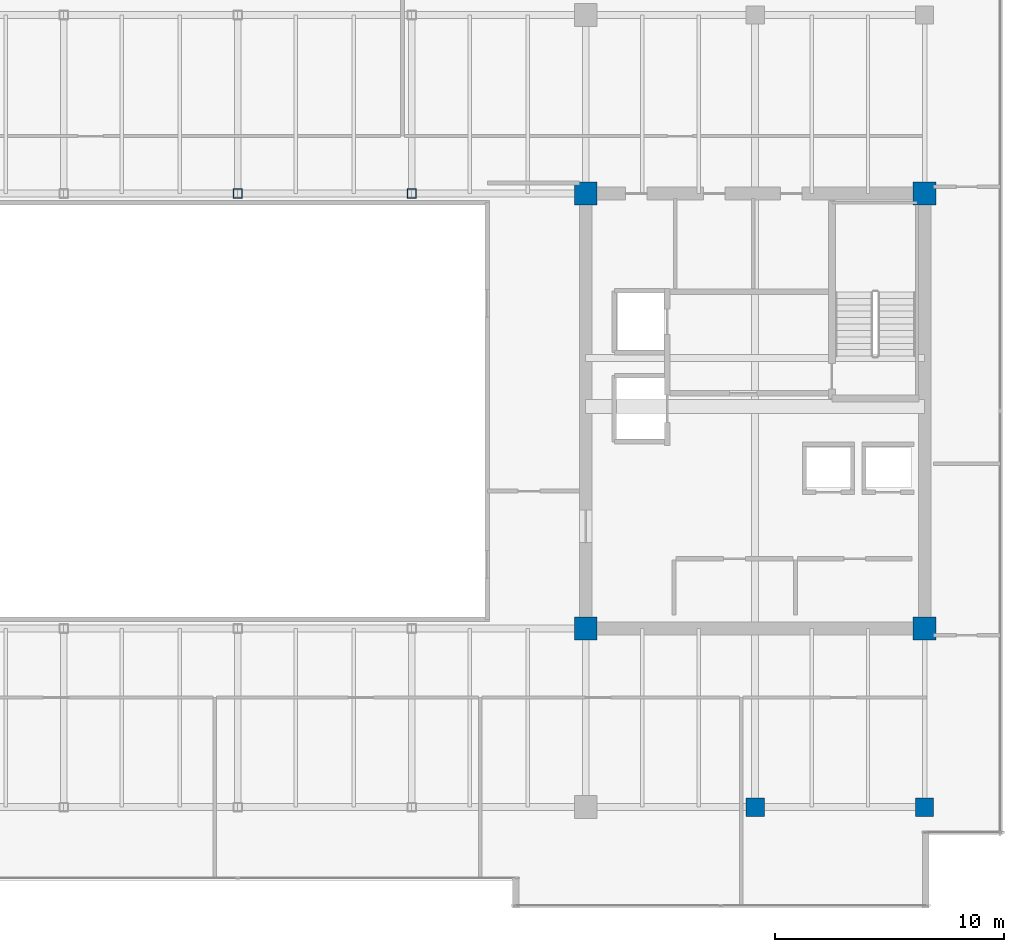
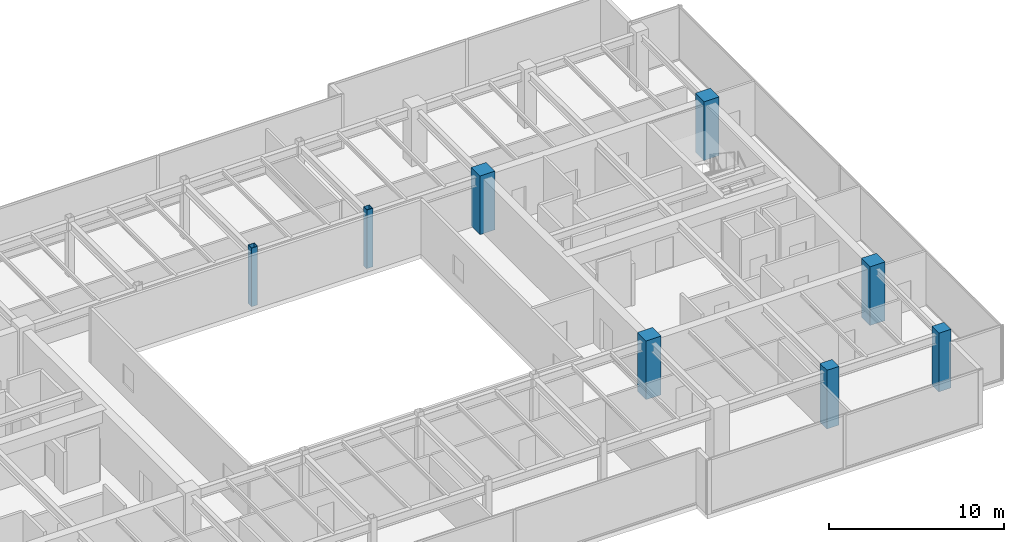
# One storey, part 2 of 33: 8 columns.
"""IFC4 building model written with IfcOpenShell, lengths in metres."""

from ifc_helpers import new_model, si_unit, direction, frame, origin, origin_2d, place, context, subcontext, project, spatial, rectangle, hollow_rectangle, extrude, source, transform, mapped, material, material_profile, profile_set, type_object, type_shapes, element, save


model = new_model("IFC4")

# Units and contexts
model_context = context("Model", 3, precision=1e-05, world=origin(), true_north=direction((0.0, 1.0)))
body_context = subcontext(model_context, "Body", "Model", "MODEL_VIEW")
ifc_project = project(units=[si_unit("LENGTHUNIT", "METRE"), si_unit("AREAUNIT", "SQUARE_METRE"), si_unit("VOLUMEUNIT", "CUBIC_METRE"), si_unit("PLANEANGLEUNIT", "RADIAN"), si_unit("MASSUNIT", "GRAM", prefix="KILO")], contexts=[model_context])

# Site, building, storey
site_placement = place(None, origin())
site = spatial("IfcSite", under=ifc_project, at=site_placement, CompositionType="ELEMENT")
building_placement = place(site_placement, origin())
building = spatial("IfcBuilding", under=site, at=building_placement, Name="Haelvirn Gate Laboratories", CompositionType="ELEMENT")
storey_placement = place(building_placement, frame((0.0, 0.0, 238.300048828125)))
storey = spatial("IfcBuildingStorey", under=building, at=storey_placement, Name="L57", CompositionType="ELEMENT", Elevation=238.300048828125)

# Columns
ifc_material_1 = material(Name="Concrete C60/75", Category="concrete")
ifc_material_profile_1 = material_profile(ifc_material_1, rectangle(XDim=1.0, YDim=1.0, at=origin_2d()), Name="RC-1000x1000")
ifc_profile_set_1 = profile_set([ifc_material_profile_1], Name="Concrete C60/75")
column_type_1 = type_object("IfcColumnType", Name="COL-RC-1000", PredefinedType="COLUMN", material=ifc_profile_set_1)
shared_shape_1 = source(origin(), body_context, "Body", "SweptSolid", [
    extrude(rectangle(XDim=1.0, YDim=1.0, at=origin_2d()), origin(), (0.0, 0.0, 1.0), 4.099853515625),
])
type_shapes(column_type_1, [shared_shape_1])
for number, where, z_axis, x_axis, name in (
    (1, (52.60009765625, 14.800048828125, 0.0), (0.0, 0.0, 1.0), (1.0, 0.0, 0.0), "L57 Column 8C"),
    (2, (67.39990234375, 14.800048828125, 0.0), (0.0, 0.0, 1.0), (1.0, 0.0, 0.0), "L57 Column 10C"),
    (3, (52.60009765625, 33.800048828125, 0.0), (0.0, 0.0, 1.0), (1.0, 0.0, 0.0), "L57 Column 8F"),
    (4, (67.39990234375, 33.800048828125, 0.0), (0.0, 0.0, 1.0), (1.0, 0.0, 0.0), "L57 Column 10F"),
):
    element("IfcColumn", number, at=place(storey_placement, frame(where, z_axis=z_axis, x_axis=x_axis)), inside=storey, type_object=column_type_1, Name=name, PredefinedType="COLUMN", context=body_context, shape_type="MappedRepresentation", body=[
        mapped(shared_shape_1, transform((0.0, 0.0, 0.0), scale=1.0)),
    ])
ifc_material_2 = material(Name="Concrete C50/60", Category="concrete")
ifc_material_profile_2 = material_profile(ifc_material_2, rectangle(XDim=0.800048828125, YDim=0.800048828125, at=origin_2d()), Name="RC-800x800")
ifc_profile_set_2 = profile_set([ifc_material_profile_2], Name="Concrete C50/60")
column_type_2 = type_object("IfcColumnType", Name="COL-RC-800", PredefinedType="COLUMN", material=ifc_profile_set_2)
shared_shape_2 = source(origin(), body_context, "Body", "SweptSolid", [
    extrude(rectangle(XDim=0.800048828125, YDim=0.800048828125, at=origin_2d()), origin(), (0.0, 0.0, 1.0), 4.099853515625),
])
type_shapes(column_type_2, [shared_shape_2])
for number, where, z_axis, x_axis, name in (
    (5, (60.0, 7.0, 0.0), (0.0, 0.0, 1.0), (1.0, 0.0, 0.0), "L57 Column 9B"),
    (6, (67.39990234375, 7.0, 0.0), (0.0, 0.0, 1.0), (1.0, 0.0, 0.0), "L57 Column 10B"),
):
    element("IfcColumn", number, at=place(storey_placement, frame(where, z_axis=z_axis, x_axis=x_axis)), inside=storey, type_object=column_type_2, Name=name, PredefinedType="COLUMN", context=body_context, shape_type="MappedRepresentation", body=[
        mapped(shared_shape_2, transform((0.0, 0.0, 0.0), scale=1.0)),
    ])
ifc_material_3 = material(Name="Steel SM355", Category="steel")
ifc_material_profile_3 = material_profile(ifc_material_3, hollow_rectangle(XDim=0.39990234375, YDim=0.39990234375, WallThickness=0.01904296875, at=origin_2d()), Name="BOX-400x400x19")
ifc_profile_set_3 = profile_set([ifc_material_profile_3], Name="Steel SM355")
column_type_3 = type_object("IfcColumnType", Name="COL-BOX-400", PredefinedType="COLUMN", material=ifc_profile_set_3)
shared_shape_3 = source(origin(), body_context, "Body", "SweptSolid", [
    extrude(hollow_rectangle(XDim=0.39990234375, YDim=0.39990234375, WallThickness=0.01904296875, at=origin_2d()), origin(), (0.0, 0.0, 1.0), 4.099853515625),
])
type_shapes(column_type_3, [shared_shape_3])
for number, where, z_axis, x_axis, name in (
    (7, (37.39990234375, 33.800048828125, 0.0), (0.0, 0.0, 1.0), (1.0, 0.0, 0.0), "L57 Column 6F"),
    (8, (45.0, 33.800048828125, 0.0), (0.0, 0.0, 1.0), (1.0, 0.0, 0.0), "L57 Column 7F"),
):
    element("IfcColumn", number, at=place(storey_placement, frame(where, z_axis=z_axis, x_axis=x_axis)), inside=storey, type_object=column_type_3, Name=name, PredefinedType="COLUMN", context=body_context, shape_type="MappedRepresentation", body=[
        mapped(shared_shape_3, transform((0.0, 0.0, 0.0), scale=1.0)),
    ])

save(model, "model.ifc")
